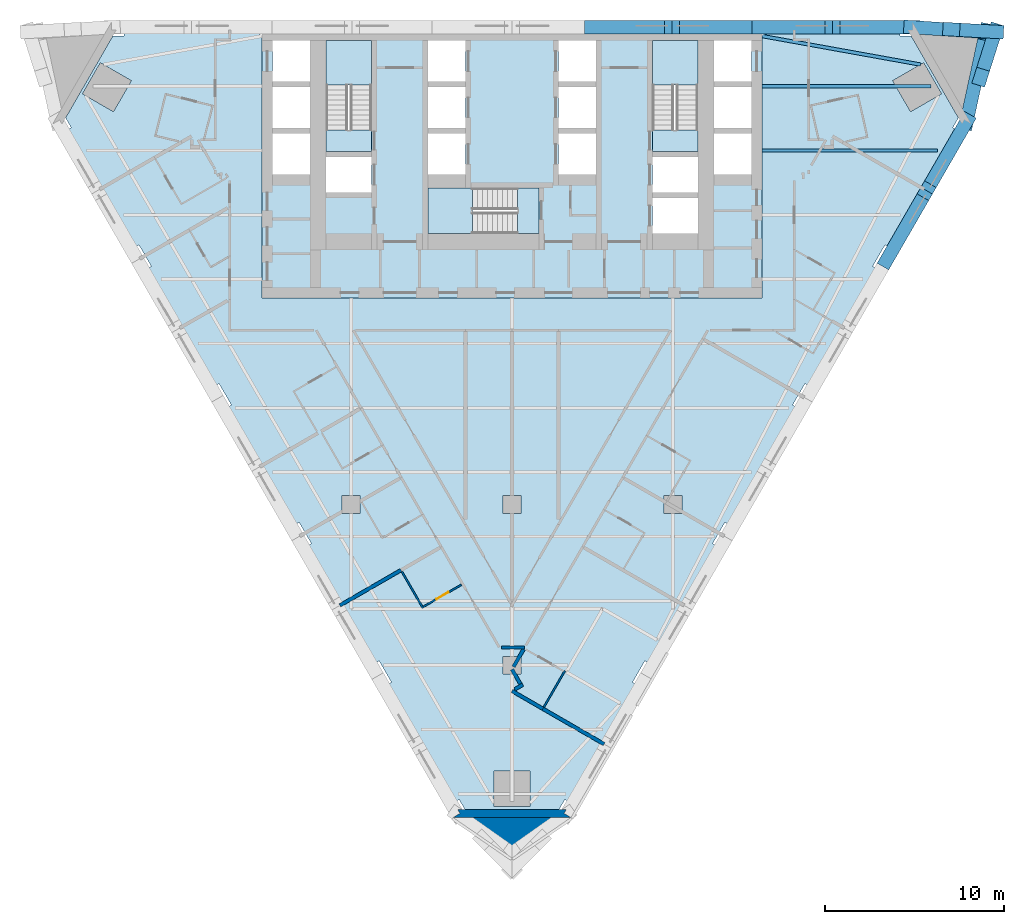
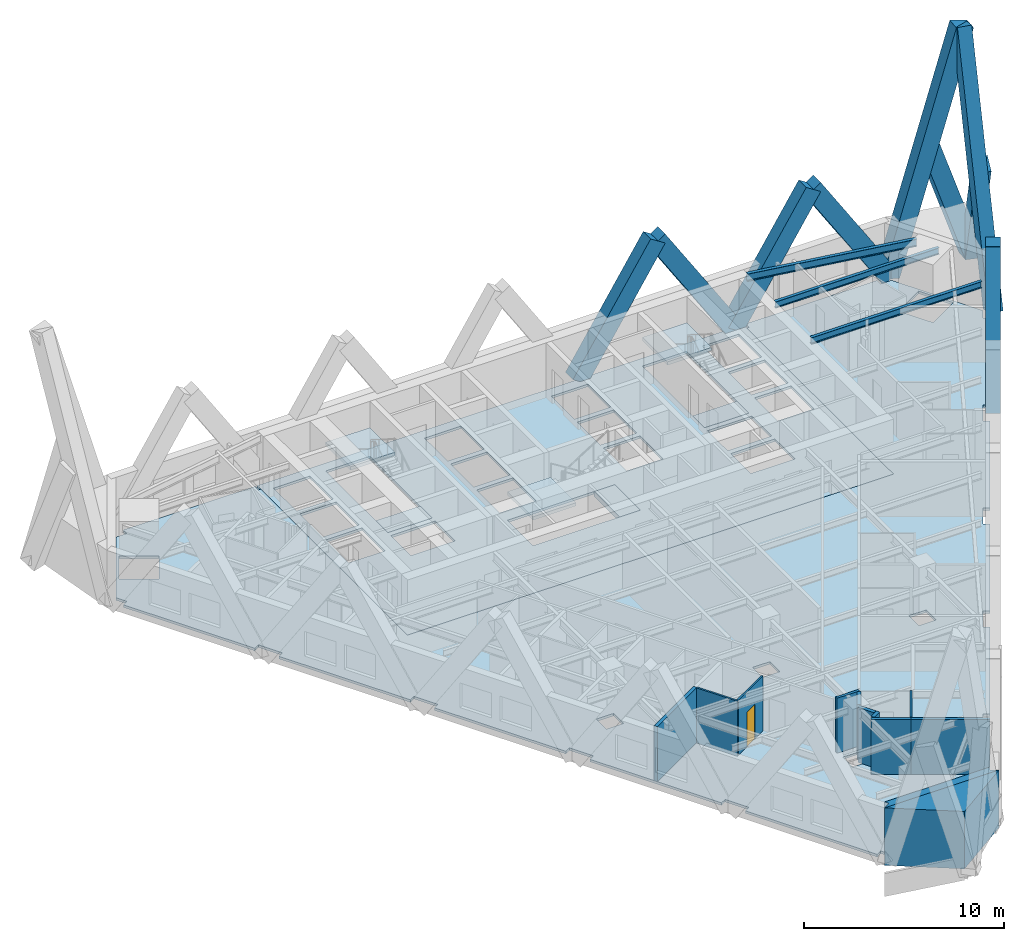
# One storey, part 2 of 11: 12 walls, 10 members, 8 slabs, 3 beams, 1 door, 1 opening, 3 elements without a shape of their own.
"""IFC4 building model written with IfcOpenShell, lengths in metres."""

from ifc_helpers import new_model, si_unit, direction, frame, frame_2d, origin, origin_2d, place, context, subcontext, project, spatial, polyline, rectangle, i_section, outline, extrude, material, layer, layer_set, material_profile, profile_set, type_object, element, fill, aggregate, save


model = new_model("IFC4")

# Units and contexts
model_context = context("Model", 3, precision=1e-05, world=origin(), true_north=direction((0.0, 1.0)))
body_context = subcontext(model_context, "Body", "Model", "MODEL_VIEW")
ifc_project = project(units=[si_unit("LENGTHUNIT", "METRE"), si_unit("AREAUNIT", "SQUARE_METRE"), si_unit("VOLUMEUNIT", "CUBIC_METRE"), si_unit("PLANEANGLEUNIT", "RADIAN"), si_unit("MASSUNIT", "GRAM", prefix="KILO")], contexts=[model_context])

# Site, building, storey
site_placement = place(None, origin())
site = spatial("IfcSite", under=ifc_project, at=site_placement, CompositionType="ELEMENT")
building_placement = place(site_placement, origin())
building = spatial("IfcBuilding", under=site, at=building_placement, Name="Aloe Facet Convention Tower", CompositionType="ELEMENT")
storey_placement = place(building_placement, frame((0.0, 0.0, 63.0)))
storey = spatial("IfcBuildingStorey", under=building, at=storey_placement, Name="L14", CompositionType="ELEMENT", Elevation=63.0)

# Beams
ifc_material_1 = material(Name="Steel S355", Category="steel")
ifc_material_profile_1 = material_profile(ifc_material_1, i_section(OverallWidth=0.177734375, OverallDepth=0.402587890625, WebThickness=0.0078125, FlangeThickness=0.010986328125, FilletRadius=0.01025390625, at=origin_2d()), Name="UB 406x178x54")
ifc_profile_set_1 = profile_set([ifc_material_profile_1], Name="Steel S355")
beam_type_1 = type_object("IfcBeamType", Name="SF-B-UB406x178x54", PredefinedType="BEAM", material=ifc_profile_set_1)
beam_1_placement = place(storey_placement, frame((94.0, 127.800048828125, 3.148681640625), z_axis=(1.0, 0.0, 0.0), x_axis=(0.0, 1.0, 0.0)))
element("IfcBeam", 1, at=beam_1_placement, inside=storey, type_object=beam_type_1, Name="Floor beam FB-Z1G-047", PredefinedType="BEAM", context=body_context, shape_type="SweptSolid", body=[
    extrude(i_section(OverallWidth=0.177734375, OverallDepth=0.402587890625, WebThickness=0.0078125, FlangeThickness=0.010986328125, FilletRadius=0.01025390625, at=origin_2d()), origin(), (0.0, 0.0, 1.0), 9.805419921875),
])
beam_2_placement = place(storey_placement, frame((94.0, 131.39990234375, 3.148681640625), z_axis=(1.0, 0.0, 0.0), x_axis=(0.0, 1.0, 0.0)))
element("IfcBeam", 2, at=beam_2_placement, inside=storey, type_object=beam_type_1, Name="Floor beam FB-Z1G-048", PredefinedType="BEAM", context=body_context, shape_type="SweptSolid", body=[
    extrude(i_section(OverallWidth=0.177734375, OverallDepth=0.402587890625, WebThickness=0.0078125, FlangeThickness=0.010986328125, FilletRadius=0.01025390625, at=origin_2d()), origin(), (0.0, 0.0, 1.0), 9.44091796875),
])
ifc_material_2 = material(Name="Steel S355", Category="steel")
ifc_material_profile_2 = material_profile(ifc_material_2, i_section(OverallWidth=0.18994140625, OverallDepth=0.453369140625, WebThickness=0.008544921875, FlangeThickness=0.0126953125, FilletRadius=0.01025390625, at=origin_2d()), Name="UB 457x191x67")
ifc_profile_set_2 = profile_set([ifc_material_profile_2], Name="Steel S355")
beam_type_2 = type_object("IfcBeamType", Name="SF-B-UB457x191x67", PredefinedType="BEAM", material=ifc_profile_set_2)
beam_3_placement = place(storey_placement, frame((94.0, 134.205078125, 3.123291015625), z_axis=(0.984194951593, -0.177088388265, 0.0), x_axis=(0.177088388265, 0.984194951593, 0.0)))
element("IfcBeam", 3, at=beam_3_placement, inside=storey, type_object=beam_type_2, Name="Floor beam FB-Z1G-008", PredefinedType="BEAM", context=body_context, shape_type="SweptSolid", body=[
    extrude(i_section(OverallWidth=0.18994140625, OverallDepth=0.453369140625, WebThickness=0.008544921875, FlangeThickness=0.0126953125, FilletRadius=0.01025390625, at=origin_2d()), origin(), (0.0, 0.0, 1.0), 9.00390625),
])

# Members
ifc_material_3 = material(Name="Concrete C60/75, bronze oxide finish", Category="concrete")
ifc_material_profile_3 = material_profile(ifc_material_3, rectangle(XDim=0.75, YDim=1.0, at=origin_2d()), Name="STW-LM")
ifc_profile_set_3 = profile_set([ifc_material_profile_3], Name="Concrete C60/75, bronze oxide finish")
member_type = type_object("IfcMemberType", Name="STW-LM", PredefinedType="BRACE", material=ifc_profile_set_3)
for number, where, z_axis, x_axis, name in (
    (4, (102.39990234375, 134.699951171875, 0.0), (-0.539052029218, 0.0, 0.84227246767), (0.0, -1.0, 0.0), "Lattice member LM-Z1-F1-R4-01"),
    (5, (93.43994140625, 134.699951171875, 0.0), (0.539052029218, 0.0, 0.84227246767), (0.0, 1.0, 0.0), "Lattice member LM-Z1-F1-R4-02"),
    (6, (93.43994140625, 134.699951171875, 0.0), (-0.539052029218, 0.0, 0.84227246767), (0.0, -1.0, 0.0), "Lattice member LM-Z1-F1-R4-03"),
    (7, (84.47998046875, 134.699951171875, 0.0), (0.539052029218, 0.0, 0.84227246767), (0.0, 1.0, 0.0), "Lattice member LM-Z1-F1-R4-04"),
    (8, (100.960205078125, 121.674560546875, 0.0), (0.269524411036, 0.466842718276, 0.842267456482), (-0.866031314237, 0.499989762656, 0.0), "Lattice member LM-Z1-F3-R4-09"),
    (9, (105.440185546875, 129.434326171875, 0.0), (-0.269524411036, -0.466842718276, 0.842267456482), (0.866031314237, -0.499989762656, 0.0), "Lattice member LM-Z1-F3-R4-10"),
):
    element("IfcMember", number, at=place(storey_placement, frame(where, z_axis=z_axis, x_axis=x_axis)), inside=storey, type_object=member_type, Name=name, PredefinedType="BRACE", context=body_context, shape_type="SweptSolid", body=[
        extrude(rectangle(XDim=0.75, YDim=1.0, at=origin_2d()), origin(), (0.0, 0.0, 1.0), 8.310791015625),
    ])
member_1_placement = place(storey_placement, frame((105.440185546875, 129.434326171875, 0.0), z_axis=(0.072378267378, 0.335570477945, 0.93923045135), x_axis=(-0.977520851271, 0.210838766193, 0.0)))
element("IfcMember", 10, at=member_1_placement, inside=storey, type_object=member_type, Name="Lattice member LM-Z1-F6-R4-01", PredefinedType="BRACE", context=body_context, shape_type="SweptSolid", body=[
    extrude(rectangle(XDim=0.75, YDim=1.0, at=origin_2d()), origin(), (0.0, 0.0, 1.0), 14.90576171875),
])
member_2_placement = place(storey_placement, frame((107.028564453125, 134.44384765625, 0.0), z_axis=(-0.106203195481, -0.335005530179, 0.936211608569), x_axis=(0.953245450504, -0.302197139453, 0.0)))
element("IfcMember", 11, at=member_2_placement, inside=storey, type_object=member_type, Name="Lattice member LM-Z1-F6-R4-02", PredefinedType="BRACE", context=body_context, shape_type="SweptSolid", body=[
    extrude(rectangle(XDim=0.75, YDim=1.0, at=origin_2d()), origin(), (0.0, 0.0, 1.0), 7.5791015625),
])
member_3_placement = place(storey_placement, frame((102.39990234375, 134.699951171875, 0.0), z_axis=(0.282214458957, -0.018064936918, 0.95918124315), x_axis=(0.063880639511, 0.997957546139, 0.0)))
element("IfcMember", 12, at=member_3_placement, inside=storey, type_object=member_type, Name="Lattice member LM-Z1-F6-R4-03", PredefinedType="BRACE", context=body_context, shape_type="SweptSolid", body=[
    extrude(rectangle(XDim=0.75, YDim=1.0, at=origin_2d()), origin(), (0.0, 0.0, 1.0), 14.595703125),
])
member_4_placement = place(storey_placement, frame((107.028564453125, 134.44384765625, 0.0), z_axis=(-0.313850815326, 0.01736835203, 0.949313439317), x_axis=(-0.055254971959, -0.998472277068, 0.0)))
element("IfcMember", 13, at=member_4_placement, inside=storey, type_object=member_type, Name="Lattice member LM-Z1-F6-R4-04", PredefinedType="BRACE", context=body_context, shape_type="SweptSolid", body=[
    extrude(rectangle(XDim=0.75, YDim=1.0, at=origin_2d()), origin(), (0.0, 0.0, 1.0), 7.801513671875),
])

# Slabs
ifc_material_4 = material(Name="Concrete C80/95", Category="concrete")
ifc_layer_1 = layer(ifc_material_4, 0.14990234375)
ifc_layer_set_1 = layer_set([ifc_layer_1], Name="CR-S-FLOOR150-C8095")
slab_type_1 = type_object("IfcSlabType", Name="CR-S-FLOOR150-C8095", PredefinedType="FLOOR", material=ifc_layer_set_1)
slab_1_placement = place(storey_placement, frame((0.0, 0.0, -0.14990234375)))
element("IfcSlab", 14, at=slab_1_placement, inside=storey, type_object=slab_type_1, Name="Core floor L14", PredefinedType="FLOOR", context=body_context, shape_type="SweptSolid", body=[
    extrude(outline(polyline([(69.300048828125, 134.550048828125), (71.85009765625, 134.550048828125), (72.75, 134.550048828125), (74.699951171875, 134.550048828125), (75.60009765625, 134.550048828125), (77.10009765625, 134.550048828125), (78.0, 134.550048828125), (82.0, 134.550048828125), (82.89990234375, 134.550048828125), (84.39990234375, 134.550048828125), (85.300048828125, 134.550048828125), (87.25, 134.550048828125), (88.14990234375, 134.550048828125), (90.699951171875, 134.550048828125), (91.0, 134.550048828125), (94.0, 134.550048828125), (94.0, 131.949951171875), (94.0, 131.050048828125), (94.0, 129.35009765625), (94.0, 128.449951171875), (94.0, 126.449951171875), (94.0, 125.85009765625), (94.0, 124.949951171875), (94.0, 123.89990234375), (94.0, 122.871337890625), (94.0, 121.821533203125), (94.0, 119.550048828125), (91.300048828125, 119.550048828125), (90.699951171875, 119.550048828125), (89.60009765625, 119.550048828125), (88.550048828125, 119.550048828125), (87.89990234375, 119.550048828125), (86.85009765625, 119.550048828125), (85.699951171875, 119.550048828125), (84.64990234375, 119.550048828125), (83.699951171875, 119.550048828125), (82.64990234375, 119.550048828125), (81.75, 119.550048828125), (80.699951171875, 119.550048828125), (78.550048828125, 119.550048828125), (77.5, 119.550048828125), (75.35009765625, 119.550048828125), (74.300048828125, 119.550048828125), (73.14990234375, 119.550048828125), (72.10009765625, 119.550048828125), (69.300048828125, 119.550048828125), (66.0, 119.550048828125), (66.0, 121.5), (66.0, 122.550048828125), (66.0, 123.449951171875), (66.0, 124.5), (66.0, 125.85009765625), (66.0, 126.449951171875), (66.0, 128.449951171875), (66.0, 129.35009765625), (66.0, 131.050048828125), (66.0, 131.949951171875), (66.0, 134.550048828125), (69.0, 134.550048828125), (69.300048828125, 134.550048828125)]), holes=[polyline([(75.300048828125, 123.14990234375), (80.298828125, 123.14990234375), (81.5, 123.14990234375), (81.5, 125.699951171875), (80.298828125, 125.699951171875), (75.300048828125, 125.699951171875), (75.300048828125, 123.14990234375)]), polyline([(69.60009765625, 125.449951171875), (72.14990234375, 125.449951171875), (72.14990234375, 127.449951171875), (69.60009765625, 127.449951171875), (69.60009765625, 125.449951171875)]), polyline([(66.60009765625, 126.449951171875), (68.699951171875, 126.449951171875), (68.699951171875, 128.75), (66.60009765625, 128.75), (66.60009765625, 126.449951171875)]), polyline([(75.300048828125, 126.449951171875), (77.39990234375, 126.449951171875), (77.39990234375, 128.75), (75.300048828125, 128.75), (75.300048828125, 126.449951171875)]), polyline([(66.60009765625, 129.050048828125), (68.699951171875, 129.050048828125), (68.699951171875, 131.35009765625), (66.60009765625, 131.35009765625), (66.60009765625, 129.050048828125)]), polyline([(75.300048828125, 129.050048828125), (77.39990234375, 129.050048828125), (77.39990234375, 131.35009765625), (75.300048828125, 131.35009765625), (75.300048828125, 129.050048828125)]), polyline([(69.60009765625, 133.949951171875), (69.60009765625, 128.951171875), (69.60009765625, 127.75), (72.14990234375, 127.75), (72.14990234375, 128.951171875), (72.14990234375, 133.949951171875), (69.60009765625, 133.949951171875)]), polyline([(66.60009765625, 133.949951171875), (66.60009765625, 131.64990234375), (68.699951171875, 131.64990234375), (68.699951171875, 133.949951171875), (66.60009765625, 133.949951171875)]), polyline([(75.300048828125, 133.949951171875), (75.300048828125, 131.64990234375), (77.39990234375, 131.64990234375), (77.39990234375, 133.949951171875), (75.300048828125, 133.949951171875)]), polyline([(87.85009765625, 123.14990234375), (90.39990234375, 123.14990234375), (90.39990234375, 125.14990234375), (87.85009765625, 125.14990234375), (87.85009765625, 123.14990234375)]), polyline([(87.85009765625, 125.449951171875), (90.39990234375, 125.449951171875), (90.39990234375, 127.449951171875), (87.85009765625, 127.449951171875), (87.85009765625, 125.449951171875)]), polyline([(82.60009765625, 126.449951171875), (84.699951171875, 126.449951171875), (84.699951171875, 128.75), (82.60009765625, 128.75), (82.60009765625, 126.449951171875)]), polyline([(91.300048828125, 126.449951171875), (93.39990234375, 126.449951171875), (93.39990234375, 128.75), (91.300048828125, 128.75), (91.300048828125, 126.449951171875)]), polyline([(82.60009765625, 129.050048828125), (84.699951171875, 129.050048828125), (84.699951171875, 131.35009765625), (82.60009765625, 131.35009765625), (82.60009765625, 129.050048828125)]), polyline([(91.300048828125, 129.050048828125), (93.39990234375, 129.050048828125), (93.39990234375, 131.35009765625), (91.300048828125, 131.35009765625), (91.300048828125, 129.050048828125)]), polyline([(87.85009765625, 133.949951171875), (87.85009765625, 128.951171875), (87.85009765625, 127.75), (90.39990234375, 127.75), (90.39990234375, 128.951171875), (90.39990234375, 133.949951171875), (87.85009765625, 133.949951171875)]), polyline([(82.60009765625, 133.949951171875), (82.60009765625, 131.64990234375), (84.699951171875, 131.64990234375), (84.699951171875, 133.949951171875), (82.60009765625, 133.949951171875)]), polyline([(91.300048828125, 133.949951171875), (91.300048828125, 131.64990234375), (93.39990234375, 131.64990234375), (93.39990234375, 133.949951171875), (91.300048828125, 133.949951171875)])]), origin(), (0.0, 0.0, 1.0), 0.14990234375),
])
ifc_material_5 = material(Name="Concrete C80/95", Category="concrete")
ifc_layer_2 = layer(ifc_material_5, 0.300048828125)
ifc_layer_set_2 = layer_set([ifc_layer_2], Name="CR-S-FLOOR300-C8095")
slab_type_2 = type_object("IfcSlabType", Name="CR-S-FLOOR300-C8095", PredefinedType="FLOOR", material=ifc_layer_set_2)
slab_2_placement = place(storey_placement, frame((0.0, 0.0, -0.300048828125)))
element("IfcSlab", 15, at=slab_2_placement, inside=storey, type_object=slab_type_2, Name="Stair landing floor L14", PredefinedType="FLOOR", context=body_context, shape_type="SweptSolid", body=[
    extrude(outline(polyline([(72.14990234375, 127.75), (72.14990234375, 128.951171875), (69.60009765625, 128.951171875), (69.60009765625, 127.75), (72.14990234375, 127.75)])), origin(), (0.0, 0.0, 1.0), 0.300048828125),
])
slab_3_placement = place(storey_placement, frame((0.0, 0.0, -0.300048828125)))
element("IfcSlab", 16, at=slab_3_placement, inside=storey, type_object=slab_type_2, Name="Stair landing floor L14", PredefinedType="FLOOR", context=body_context, shape_type="SweptSolid", body=[
    extrude(outline(polyline([(90.39990234375, 127.75), (90.39990234375, 128.951171875), (87.85009765625, 128.951171875), (87.85009765625, 127.75), (90.39990234375, 127.75)])), origin(), (0.0, 0.0, 1.0), 0.300048828125),
])
slab_4_placement = place(storey_placement, frame((0.0, 0.0, -0.300048828125)))
element("IfcSlab", 17, at=slab_4_placement, inside=storey, type_object=slab_type_2, Name="Stair landing floor L14", PredefinedType="FLOOR", context=body_context, shape_type="SweptSolid", body=[
    extrude(outline(polyline([(81.5, 125.699951171875), (80.298828125, 125.699951171875), (80.298828125, 123.14990234375), (81.5, 123.14990234375), (81.5, 125.699951171875)])), origin(), (0.0, 0.0, 1.0), 0.300048828125),
])

# Stair, slab
ifc_material_6 = material(Name="Concrete C50/60", Category="concrete")
stair_type = type_object("IfcStairType", Name="CR-ST-20R", PredefinedType="HALF_TURN_STAIR", material=ifc_material_6)
stair_1_placement = place(storey_placement, origin())
stair_1 = element("IfcStair", 18, at=stair_1_placement, inside=storey, type_object=stair_type, Name="L14 Protected exit stair ST1", PredefinedType="HALF_TURN_STAIR")
ifc_material_7 = material(Name="Concrete C50/60", Category="concrete")
ifc_layer_3 = layer(ifc_material_7, 0.199951171875)
ifc_layer_set_3 = layer_set([ifc_layer_3], Name="CR-SL-LANDING")
slab_type_3 = type_object("IfcSlabType", Name="CR-SL-LANDING", PredefinedType="LANDING", material=ifc_layer_set_3)
slab_5_placement = place(storey_placement, frame((0.0, 0.0, 1.550048828125)))
slab_5 = element("IfcSlab", 19, at=slab_5_placement, type_object=slab_type_3, Name="ST1 landing 1", PredefinedType="LANDING", context=body_context, shape_type="SweptSolid", body=[
    extrude(outline(polyline([(72.14990234375, 131.469970703125), (72.14990234375, 133.949951171875), (69.60009765625, 133.949951171875), (69.60009765625, 131.469970703125), (72.14990234375, 131.469970703125)])), origin(), (0.0, 0.0, 1.0), 0.199951171875),
])
aggregate(stair_1, [slab_5])

stair_2_placement = place(storey_placement, origin())
stair_2 = element("IfcStair", 20, at=stair_2_placement, inside=storey, type_object=stair_type, Name="L14 Protected exit stair ST2", PredefinedType="HALF_TURN_STAIR")
slab_6_placement = place(storey_placement, frame((0.0, 0.0, 1.550048828125)))
slab_6 = element("IfcSlab", 21, at=slab_6_placement, type_object=slab_type_3, Name="ST2 landing 1", PredefinedType="LANDING", context=body_context, shape_type="SweptSolid", body=[
    extrude(outline(polyline([(90.39990234375, 131.469970703125), (90.39990234375, 133.949951171875), (87.85009765625, 133.949951171875), (87.85009765625, 131.469970703125), (90.39990234375, 131.469970703125)])), origin(), (0.0, 0.0, 1.0), 0.199951171875),
])
aggregate(stair_2, [slab_6])

stair_3_placement = place(storey_placement, origin())
stair_3 = element("IfcStair", 22, at=stair_3_placement, inside=storey, type_object=stair_type, Name="L14 Protected exit stair ST3", PredefinedType="HALF_TURN_STAIR")
slab_7_placement = place(storey_placement, frame((0.0, 0.0, 1.550048828125)))
slab_7 = element("IfcSlab", 23, at=slab_7_placement, type_object=slab_type_3, Name="ST3 landing 1", PredefinedType="LANDING", context=body_context, shape_type="SweptSolid", body=[
    extrude(outline(polyline([(77.780029296875, 125.699951171875), (75.300048828125, 125.699951171875), (75.300048828125, 123.14990234375), (77.780029296875, 123.14990234375), (77.780029296875, 125.699951171875)])), origin(), (0.0, 0.0, 1.0), 0.199951171875),
])
aggregate(stair_3, [slab_7])

# Slab
ifc_material_8 = material(Name="Concrete C35/45", Category="concrete")
ifc_layer_4 = layer(ifc_material_8, 0.14990234375)
ifc_layer_set_4 = layer_set([ifc_layer_4], Name="SF-FS-150")
slab_type_4 = type_object("IfcSlabType", Name="SF-FS-150", PredefinedType="FLOOR", material=ifc_layer_set_4)
slab_8_placement = place(storey_placement, frame((0.0, 0.0, -0.14990234375)))
element("IfcSlab", 24, at=slab_8_placement, inside=storey, type_object=slab_type_4, Name="Floor slab L14-1", PredefinedType="FLOOR", context=body_context, shape_type="SweptSolid", body=[
    extrude(outline(polyline([(104.978271484375, 129.63427734375), (104.71044921875, 129.170166015625), (104.662353515625, 129.0869140625), (104.965576171875, 128.912109375), (101.175048828125, 122.346923828125), (100.8720703125, 122.52197265625), (100.658935546875, 122.15283203125), (100.644287109375, 122.127685546875), (100.644287109375, 122.127685546875), (100.527099609375, 121.924560546875), (100.43994140625, 121.773681640625), (100.23046875, 121.410400390625), (100.182373046875, 121.327392578125), (100.485595703125, 121.15234375), (96.695068359375, 114.58740234375), (96.39208984375, 114.76220703125), (96.343994140625, 114.67919921875), (96.127685546875, 114.304443359375), (95.91552734375, 113.93701171875), (95.75048828125, 113.65087890625), (95.702392578125, 113.56787109375), (96.005615234375, 113.392822265625), (92.215087890625, 106.82763671875), (91.912109375, 107.002685546875), (91.449951171875, 106.202392578125), (91.4296875, 106.167236328125), (91.222412109375, 105.80810546875), (91.525390625, 105.63330078125), (87.735107421875, 99.068115234375), (87.431884765625, 99.2431640625), (87.384033203125, 99.159912109375), (87.254638671875, 98.935791015625), (86.969970703125, 98.44287109375), (86.790283203125, 98.1318359375), (86.790283203125, 98.1318359375), (86.742431640625, 98.048583984375), (87.04541015625, 97.87353515625), (83.255126953125, 91.30859375), (82.951904296875, 91.4833984375), (82.635986328125, 90.936279296875), (77.364013671875, 90.936279296875), (77.048095703125, 91.4833984375), (76.744873046875, 91.30859375), (72.95458984375, 97.87353515625), (73.257568359375, 98.048583984375), (73.209716796875, 98.1318359375), (73.14404296875, 98.245361328125), (72.91748046875, 98.6376953125), (72.737548828125, 98.94970703125), (72.615966796875, 99.159912109375), (72.568115234375, 99.2431640625), (72.264892578125, 99.068115234375), (68.474609375, 105.63330078125), (68.777587890625, 105.80810546875), (68.550048828125, 106.202392578125), (68.50830078125, 106.27490234375), (68.432861328125, 106.405517578125), (68.315673828125, 106.6083984375), (68.087890625, 107.002685546875), (67.784912109375, 106.82763671875), (63.994384765625, 113.392822265625), (64.297607421875, 113.56787109375), (64.24951171875, 113.65087890625), (64.070068359375, 113.962158203125), (63.952880859375, 114.1650390625), (63.935302734375, 114.1953125), (63.878662109375, 114.29345703125), (63.835693359375, 114.367919921875), (63.656005859375, 114.67919921875), (63.60791015625, 114.76220703125), (63.304931640625, 114.58740234375), (59.514404296875, 121.15234375), (59.817626953125, 121.327392578125), (59.76953125, 121.410400390625), (59.590087890625, 121.7216796875), (59.472900390625, 121.924560546875), (59.396484375, 122.056640625), (59.1279296875, 122.52197265625), (58.824951171875, 122.346923828125), (55.034423828125, 128.912109375), (55.337646484375, 129.0869140625), (55.28955078125, 129.170166015625), (55.021728515625, 129.63427734375), (57.65771484375, 134.199951171875), (58.193603515625, 134.199951171875), (58.28955078125, 134.199951171875), (58.28955078125, 134.550048828125), (65.870361328125, 134.550048828125), (65.870361328125, 134.199951171875), (65.96630859375, 134.199951171875), (66.0, 134.199951171875), (66.0, 131.949951171875), (66.0, 131.050048828125), (66.0, 129.35009765625), (66.0, 128.449951171875), (66.0, 126.449951171875), (66.0, 125.85009765625), (66.0, 124.5), (66.0, 123.449951171875), (66.0, 122.550048828125), (66.0, 121.5), (66.0, 119.550048828125), (69.300048828125, 119.550048828125), (72.10009765625, 119.550048828125), (73.14990234375, 119.550048828125), (74.300048828125, 119.550048828125), (75.35009765625, 119.550048828125), (77.5, 119.550048828125), (78.550048828125, 119.550048828125), (80.699951171875, 119.550048828125), (81.75, 119.550048828125), (82.64990234375, 119.550048828125), (83.699951171875, 119.550048828125), (84.64990234375, 119.550048828125), (85.699951171875, 119.550048828125), (86.85009765625, 119.550048828125), (87.89990234375, 119.550048828125), (88.550048828125, 119.550048828125), (89.60009765625, 119.550048828125), (90.699951171875, 119.550048828125), (91.300048828125, 119.550048828125), (94.0, 119.550048828125), (94.0, 121.8212890625), (94.0, 122.871337890625), (94.0, 123.89990234375), (94.0, 124.949951171875), (94.0, 125.85009765625), (94.0, 126.449951171875), (94.0, 128.449951171875), (94.0, 129.35009765625), (94.0, 131.050048828125), (94.0, 131.949951171875), (94.0, 134.199951171875), (94.03369140625, 134.199951171875), (94.129638671875, 134.199951171875), (94.129638671875, 134.550048828125), (101.71044921875, 134.550048828125), (101.71044921875, 134.199951171875), (101.806396484375, 134.199951171875), (102.34228515625, 134.199951171875), (104.978271484375, 129.63427734375)]), holes=[polyline([(70.5, 107.5), (71.5, 107.5), (71.5, 108.5), (70.5, 108.5), (70.5, 107.5)]), polyline([(57.70166015625, 129.97607421875), (58.70166015625, 131.7080078125), (56.969482421875, 132.7080078125), (55.969482421875, 130.97607421875), (57.70166015625, 129.97607421875)]), polyline([(79.0, 93.086181640625), (79.0, 91.086181640625), (81.0, 91.086181640625), (81.0, 93.086181640625), (79.0, 93.086181640625)]), polyline([(79.5, 98.5), (80.5, 98.5), (80.5, 99.5), (79.5, 99.5), (79.5, 98.5)]), polyline([(79.5, 107.5), (80.5, 107.5), (80.5, 108.5), (79.5, 108.5), (79.5, 107.5)]), polyline([(88.5, 108.5), (88.5, 107.5), (89.5, 107.5), (89.5, 108.5), (88.5, 108.5)]), polyline([(102.29833984375, 129.97607421875), (104.030517578125, 130.97607421875), (103.030517578125, 132.7080078125), (101.29833984375, 131.7080078125), (102.29833984375, 129.97607421875)])]), origin(), (0.0, 0.0, 1.0), 0.14990234375),
])

# Walls
ifc_material_9 = material(Name="Precast concrete C40/50", Category="concrete")
ifc_layer_5 = layer(ifc_material_9, 0.449951171875)
ifc_layer_set_5 = layer_set([ifc_layer_5], Name="EV-WALL-PIER")
wall_type_1 = type_object("IfcWallType", Name="EV-WALL-PIER", PredefinedType="SOLIDWALL", material=ifc_layer_set_5)
wall_1_placement = place(storey_placement, frame((0.0, 0.0, -0.14990234375)))
element("IfcWall", 25, at=wall_1_placement, inside=storey, type_object=wall_type_1, Name="EP-L14-B", PredefinedType="SOLIDWALL", context=body_context, shape_type="SweptSolid", body=[
    extrude(outline(polyline([(76.699951171875, 90.486328125), (77.089599609375, 90.711181640625), (76.959716796875, 90.936279296875), (83.040283203125, 90.936279296875), (82.910400390625, 90.711181640625), (83.300048828125, 90.486328125), (76.699951171875, 90.486328125)])), origin(), (0.0, 0.0, 1.0), 3.5),
])
ifc_material_10 = material(Name="Precast concrete C40/50", Category="concrete")
ifc_layer_6 = layer(ifc_material_10, 3.947998046875)
ifc_layer_set_6 = layer_set([ifc_layer_6], Name="EV-WALL-SPINE")
wall_type_2 = type_object("IfcWallType", Name="EV-WALL-SPINE", PredefinedType="SOLIDWALL", material=ifc_layer_set_6)
wall_2_placement = place(storey_placement, frame((0.0, 0.0, -0.14990234375)))
element("IfcWall", 26, at=wall_2_placement, inside=storey, type_object=wall_type_2, Name="SP-S-L14", PredefinedType="SOLIDWALL", context=body_context, shape_type="SweptSolid", body=[
    extrude(outline(polyline([(76.699951171875, 90.486328125), (80.0, 88.218994140625), (83.300048828125, 90.486328125), (76.699951171875, 90.486328125)])), origin(), (0.0, 0.0, 1.0), 3.5),
])
ifc_material_11 = material(Name="Gypsum board partition on steel studs", Category="steel")
ifc_layer_7 = layer(ifc_material_11, 0.14990234375)
ifc_layer_set_7 = layer_set([ifc_layer_7], Name="IN-W-CORR")
wall_type_3 = type_object("IfcWallType", Name="IN-W-CORR", PredefinedType="PARTITIONING", material=ifc_layer_set_7)
wall_3_placement = place(storey_placement, frame((79.419921875, 100.000244140625, 0.0), z_axis=(0.0, 0.0, 1.0), x_axis=(0.999999982085, -0.000189286387, 0.0)))
element("IfcWall", 27, at=wall_3_placement, inside=storey, type_object=wall_type_3, Name="Partition L14-W010", PredefinedType="PARTITIONING", context=body_context, shape_type="SweptSolid", body=[
    extrude(rectangle(XDim=1.289794921875, YDim=0.14990234375, at=frame_2d((0.64501953125, 0.0))), origin(), (0.0, 0.0, 1.0), 3.35009765625),
])
ifc_material_12 = material(Name="Gypsum board partition on steel studs", Category="steel")
ifc_layer_8 = layer(ifc_material_12, 0.10009765625)
ifc_layer_set_8 = layer_set([ifc_layer_8], Name="IN-W-PART")
wall_type_4 = type_object("IfcWallType", Name="IN-W-PART", PredefinedType="PARTITIONING", material=ifc_layer_set_8)
for number, where, z_axis, x_axis, name in (
    (28, (81.784423828125, 96.661376953125, 0.0), (0.0, 0.0, 1.0), (0.500077683152, 0.86598054875, 0.0), "Partition L14-W005"),
    (29, (73.845458984375, 104.23046875, 0.0), (0.0, 0.0, 1.0), (0.500032503492, -0.866006637072, 0.0), "Partition L14-W011"),
):
    element("IfcWall", number, at=place(storey_placement, frame(where, z_axis=z_axis, x_axis=x_axis)), inside=storey, type_object=wall_type_4, Name=name, PredefinedType="PARTITIONING", context=body_context, shape_type="SweptSolid", body=[
        extrude(rectangle(XDim=2.340087890625, YDim=0.10009765625, at=frame_2d((1.169921875, 0.0))), origin(), (0.0, 0.0, 1.0), 3.35009765625),
    ])

# Wall, opening, door
wall_4_placement = place(storey_placement, frame((75.04248046875, 102.277099609375, 0.0), z_axis=(0.0, 0.0, 1.0), x_axis=(0.865997559407, 0.500048224776, 0.0)))
wall_4 = element("IfcWall", 30, at=wall_4_placement, inside=storey, type_object=wall_type_4, Name="Partition L14-W016", PredefinedType="PARTITIONING", context=body_context, shape_type="SweptSolid", body=[
    extrude(rectangle(XDim=2.465087890625, YDim=0.10009765625, at=frame_2d((1.232421875, 0.0))), origin(), (0.0, 0.0, 1.0), 3.35009765625),
])
opening_placement = place(wall_4_placement, frame((0.83251953125, 0.0, 0.0)))
opening = element("IfcOpeningElement", 31, at=opening_placement, cuts=wall_4, Name="Opening L14-025", PredefinedType="OPENING", context=body_context, shape_type="SweptSolid", body=[
    extrude(rectangle(XDim=0.800048828125, YDim=2.10009765625, at=frame_2d((0.39990234375, 1.050048828125))), frame((0.0, 0.06005859375, 0.0), z_axis=(0.0, -1.0, 0.0), x_axis=(1.0, 0.0, 0.0)), (0.0, 0.0, 1.0), 0.1201171875),
])
ifc_material_13 = material(Name="Timber flush door", Category="wood")
door_type = type_object("IfcDoorType", Name="IN-D-BATH", OperationType="SINGLE_SWING_LEFT", PredefinedType="DOOR", material=ifc_material_13)
door_placement = place(opening_placement, origin())
door = element("IfcDoor", 32, at=door_placement, inside=storey, type_object=door_type, Name="Door L14-025", OperationType="SINGLE_SWING_LEFT", OverallHeight=2.10009765625, OverallWidth=0.800048828125, PredefinedType="DOOR", context=body_context, shape_type="SweptSolid", body=[
    extrude(rectangle(XDim=0.800048828125, YDim=2.10009765625, at=frame_2d((0.39990234375, 1.050048828125))), frame((0.0, 0.02490234375, 0.0), z_axis=(0.0, -1.0, 0.0), x_axis=(1.0, 0.0, 0.0)), (0.0, 0.0, 1.0), 0.050048828125),
])
fill(opening, door)

# Walls
ifc_material_14 = material(Name="Gypsum board partition on steel studs", Category="steel")
ifc_layer_9 = layer(ifc_material_14, 0.199951171875)
ifc_layer_set_9 = layer_set([ifc_layer_9], Name="IN-W-PARTY")
wall_type_5 = type_object("IfcWallType", Name="IN-W-PARTY", PredefinedType="PARTITIONING", material=ifc_layer_set_9)
wall_5_placement = place(storey_placement, frame((81.7294921875, 96.566162109375, 0.0), z_axis=(0.0, 0.0, 1.0), x_axis=(0.866020906874, -0.500007788796, 0.0)))
element("IfcWall", 33, at=wall_5_placement, inside=storey, type_object=wall_type_5, Name="Partition L14-W001", PredefinedType="PARTITIONING", context=body_context, shape_type="SweptSolid", body=[
    extrude(rectangle(XDim=3.9501953125, YDim=0.199951171875, at=frame_2d((1.97509765625, 0.0))), origin(), (0.0, 0.0, 1.0), 3.35009765625),
])
wall_6_placement = place(storey_placement, frame((80.0, 97.564697265625, 0.0), z_axis=(0.0, 0.0, 1.0), x_axis=(0.866022720283, -0.500004647933, 0.0)))
element("IfcWall", 34, at=wall_6_placement, inside=storey, type_object=wall_type_5, Name="Partition L14-W002", PredefinedType="PARTITIONING", context=body_context, shape_type="SweptSolid", body=[
    extrude(rectangle(XDim=1.9970703125, YDim=0.199951171875, at=frame_2d((0.99853515625, 0.0))), origin(), (0.0, 0.0, 1.0), 3.35009765625),
])
wall_7_placement = place(storey_placement, frame((80.14990234375, 97.651123046875, 0.0), z_axis=(0.0, 0.0, 1.0), x_axis=(0.866078079006, 0.499908752739, 0.0)))
element("IfcWall", 35, at=wall_7_placement, inside=storey, type_object=wall_type_5, Name="Partition L14-W003", PredefinedType="PARTITIONING", context=body_context, shape_type="SweptSolid", body=[
    extrude(rectangle(XDim=0.529296875, YDim=0.199951171875, at=frame_2d((0.2646484375, 0.0))), origin(), (0.0, 0.0, 1.0), 3.35009765625),
])
wall_8_placement = place(storey_placement, frame((80.0, 98.7705078125, 0.0), z_axis=(0.0, 0.0, 1.0), x_axis=(0.499624422845, -0.866242134797, 0.0)))
element("IfcWall", 36, at=wall_8_placement, inside=storey, type_object=wall_type_5, Name="Partition L14-W004", PredefinedType="PARTITIONING", context=body_context, shape_type="SweptSolid", body=[
    extrude(rectangle(XDim=0.934326171875, YDim=0.199951171875, at=frame_2d((0.46728515625, 0.0))), origin(), (0.0, 0.0, 1.0), 3.35009765625),
])
wall_9_placement = place(storey_placement, frame((80.086669921875, 98.920654296875, 0.0), z_axis=(0.0, 0.0, 1.0), x_axis=(0.499929606556, 0.866066041644, 0.0)))
element("IfcWall", 37, at=wall_9_placement, inside=storey, type_object=wall_type_5, Name="Partition L14-W006", PredefinedType="PARTITIONING", context=body_context, shape_type="SweptSolid", body=[
    extrude(rectangle(XDim=1.122314453125, YDim=0.199951171875, at=frame_2d((0.56103515625, 0.0))), origin(), (0.0, 0.0, 1.0), 3.35009765625),
])
wall_10_placement = place(storey_placement, frame((70.36962890625, 102.3505859375, 0.0), z_axis=(0.0, 0.0, 1.0), x_axis=(0.866020906874, 0.500007788796, 0.0)))
element("IfcWall", 38, at=wall_10_placement, inside=storey, type_object=wall_type_5, Name="Partition L14-W012", PredefinedType="PARTITIONING", context=body_context, shape_type="SweptSolid", body=[
    extrude(rectangle(XDim=3.9501953125, YDim=0.199951171875, at=frame_2d((1.97509765625, 0.0))), origin(), (0.0, 0.0, 1.0), 3.35009765625),
])

save(model, "model.ifc")
